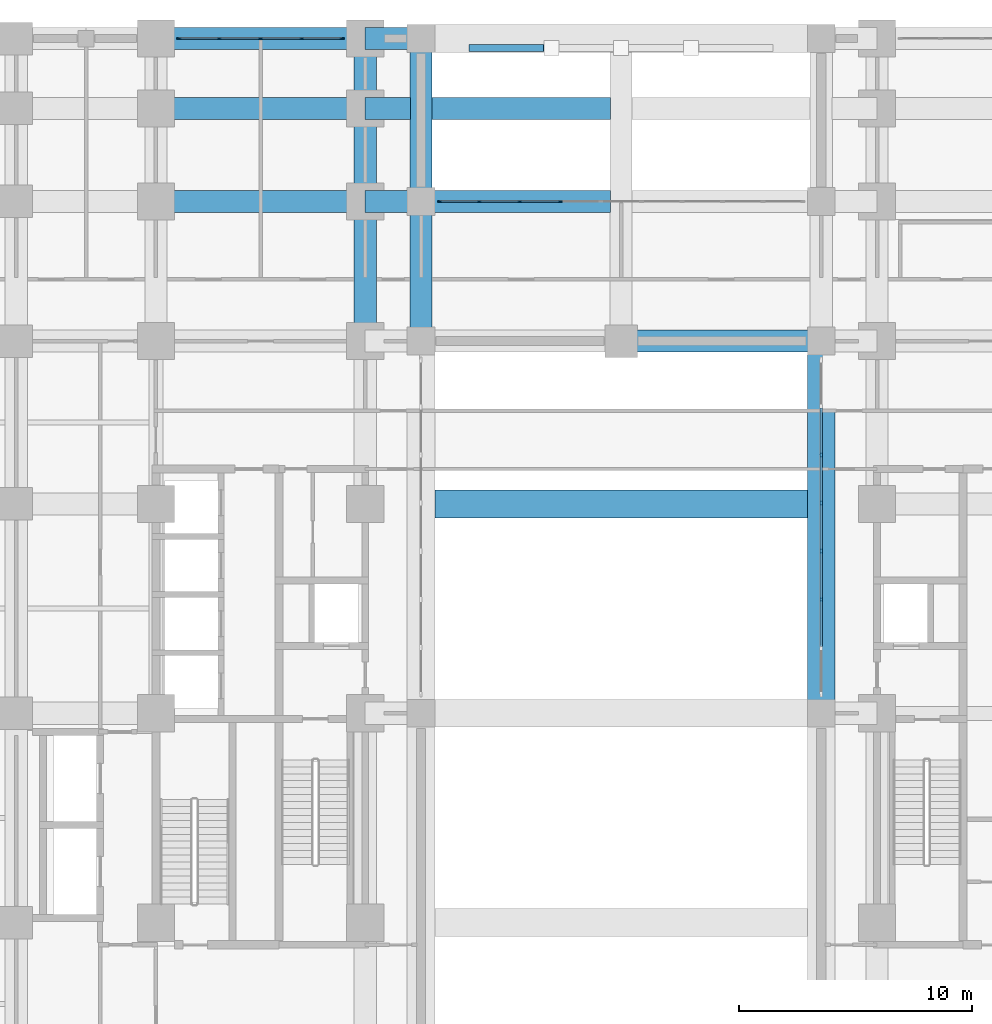
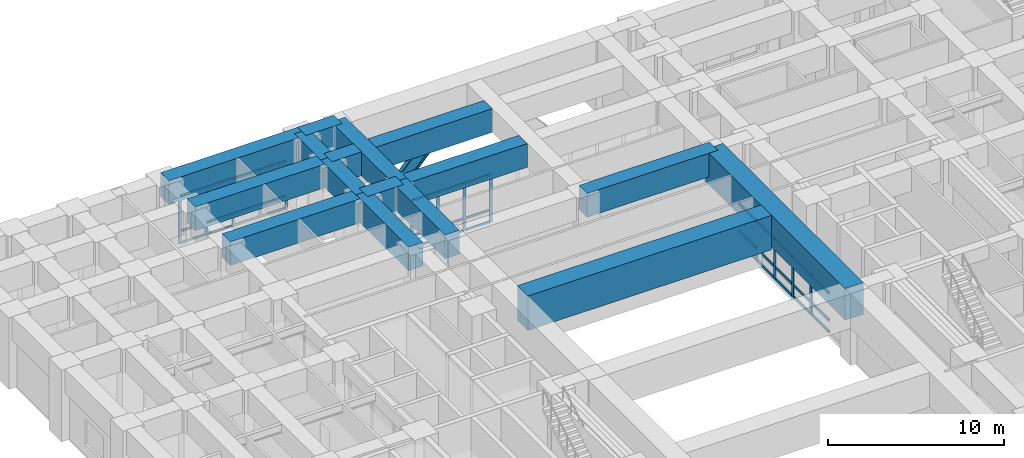
# One storey, part 6 of 24: 50 members, 16 beams, 3 elements without a shape of their own.
"""IFC4 building model written with IfcOpenShell, lengths in metres."""

from ifc_helpers import new_model, si_unit, direction, frame, origin, origin_2d, place, context, subcontext, project, spatial, rectangle, i_section, extrude, material, material_profile, profile_set, type_object, element, aggregate, save


model = new_model("IFC4")

# Units and contexts
model_context = context("Model", 3, precision=1e-05, world=origin(), true_north=direction((0.0, 1.0)))
body_context = subcontext(model_context, "Body", "Model", "MODEL_VIEW")
ifc_project = project(units=[si_unit("LENGTHUNIT", "METRE"), si_unit("AREAUNIT", "SQUARE_METRE"), si_unit("VOLUMEUNIT", "CUBIC_METRE"), si_unit("PLANEANGLEUNIT", "RADIAN"), si_unit("MASSUNIT", "GRAM", prefix="KILO")], contexts=[model_context])

# Site, building, storey
site_placement = place(None, origin())
site = spatial("IfcSite", under=ifc_project, at=site_placement, CompositionType="ELEMENT")
building_placement = place(site_placement, origin())
building = spatial("IfcBuilding", under=site, at=building_placement, Name="Zulmaris Gate Convention Tower", CompositionType="ELEMENT")
storey_placement = place(building_placement, frame((0.0, 0.0, 16.320068359375)))
storey = spatial("IfcBuildingStorey", under=building, at=storey_placement, Name="L03", CompositionType="ELEMENT", Elevation=16.320068359375)

# Beams
ifc_material_1 = material(Name="Concrete C80/95", Category="concrete")
ifc_material_profile_1 = material_profile(ifc_material_1, rectangle(XDim=0.949951171875, YDim=1.64990234375, at=origin_2d()), Name="RC TRANSFER 950x1650")
ifc_profile_set_1 = profile_set([ifc_material_profile_1], Name="Concrete C80/95")
beam_type_1 = type_object("IfcBeamType", Name="BM-XFER1650", PredefinedType="BEAM", material=ifc_profile_set_1)
beam_1_placement = place(storey_placement, frame((-20.0, 29.0, 4.1650390625), z_axis=(1.0, 0.0, 0.0), x_axis=(0.0, 1.0, 0.0)))
element("IfcBeam", 1, at=beam_1_placement, inside=storey, type_object=beam_type_1, Name="L03 Beam XFRNGX-L03-+29.0-5", PredefinedType="BEAM", context=body_context, shape_type="SweptSolid", body=[
    extrude(rectangle(XDim=0.949951171875, YDim=1.64990234375, at=origin_2d()), origin(), (0.0, 0.0, 1.0), 9.0),
])
beam_2_placement = place(storey_placement, frame((-11.0, 29.0, 4.1650390625), z_axis=(1.0, 0.0, 0.0), x_axis=(0.0, 1.0, 0.0)))
element("IfcBeam", 2, at=beam_2_placement, inside=storey, type_object=beam_type_1, Name="L03 Beam XFRNGX-L03-+29.0-6", PredefinedType="BEAM", context=body_context, shape_type="SweptSolid", body=[
    extrude(rectangle(XDim=0.949951171875, YDim=1.64990234375, at=origin_2d()), origin(), (0.0, 0.0, 1.0), 2.39990234375),
])
beam_3_placement = place(storey_placement, frame((-11.0, 16.0, 4.1650390625), z_axis=(0.0, 1.0, 0.0), x_axis=(-1.0, 0.0, 0.0)))
element("IfcBeam", 3, at=beam_3_placement, inside=storey, type_object=beam_type_1, Name="L03 Beam XFSPY-L03--11.0-8", PredefinedType="BEAM", context=body_context, shape_type="SweptSolid", body=[
    extrude(rectangle(XDim=0.949951171875, YDim=1.64990234375, at=origin_2d()), origin(), (0.0, 0.0, 1.0), 6.0),
])
beam_4_placement = place(storey_placement, frame((-11.0, 22.0, 4.1650390625), z_axis=(0.0, 1.0, 0.0), x_axis=(-1.0, 0.0, 0.0)))
element("IfcBeam", 4, at=beam_4_placement, inside=storey, type_object=beam_type_1, Name="L03 Beam XFSPY-L03--11.0-9", PredefinedType="BEAM", context=body_context, shape_type="SweptSolid", body=[
    extrude(rectangle(XDim=0.949951171875, YDim=1.64990234375, at=origin_2d()), origin(), (0.0, 0.0, 1.0), 4.0),
])
beam_5_placement = place(storey_placement, frame((-11.0, 26.0, 4.1650390625), z_axis=(0.0, 1.0, 0.0), x_axis=(-1.0, 0.0, 0.0)))
element("IfcBeam", 5, at=beam_5_placement, inside=storey, type_object=beam_type_1, Name="L03 Beam XFSPY-L03--11.0-10", PredefinedType="BEAM", context=body_context, shape_type="SweptSolid", body=[
    extrude(rectangle(XDim=0.949951171875, YDim=1.64990234375, at=origin_2d()), origin(), (0.0, 0.0, 1.0), 3.0),
])
beam_6_placement = place(storey_placement, frame((-8.60009765625, 16.0, 4.1650390625), z_axis=(0.0, 1.0, 0.0), x_axis=(-1.0, 0.0, 0.0)))
element("IfcBeam", 6, at=beam_6_placement, inside=storey, type_object=beam_type_1, Name="L03 Beam XFSPY-L03--8.6-4", PredefinedType="BEAM", context=body_context, shape_type="SweptSolid", body=[
    extrude(rectangle(XDim=0.949951171875, YDim=1.64990234375, at=origin_2d()), origin(), (0.0, 0.0, 1.0), 6.0),
])
beam_7_placement = place(storey_placement, frame((-8.60009765625, 22.0, 4.1650390625), z_axis=(0.0, 1.0, 0.0), x_axis=(-1.0, 0.0, 0.0)))
element("IfcBeam", 7, at=beam_7_placement, inside=storey, type_object=beam_type_1, Name="L03 Beam XFSPY-L03--8.6-5", PredefinedType="BEAM", context=body_context, shape_type="SweptSolid", body=[
    extrude(rectangle(XDim=0.949951171875, YDim=1.64990234375, at=origin_2d()), origin(), (0.0, 0.0, 1.0), 7.0),
])
beam_8_placement = place(storey_placement, frame((0.0, 16.0, 4.1650390625), z_axis=(1.0, 0.0, 0.0), x_axis=(0.0, 1.0, 0.0)))
element("IfcBeam", 8, at=beam_8_placement, inside=storey, type_object=beam_type_1, Name="L03 Beam XFSPX-L03-+16.0-7", PredefinedType="BEAM", context=body_context, shape_type="SweptSolid", body=[
    extrude(rectangle(XDim=0.949951171875, YDim=1.64990234375, at=origin_2d()), origin(), (0.0, 0.0, 1.0), 8.60009765625),
])
beam_9_placement = place(storey_placement, frame((-20.0, 22.0, 4.1650390625), z_axis=(1.0, 0.0, 0.0), x_axis=(0.0, 1.0, 0.0)))
element("IfcBeam", 9, at=beam_9_placement, inside=storey, type_object=beam_type_1, Name="L03 Beam XFSPX-L03-+22.0-4", PredefinedType="BEAM", context=body_context, shape_type="SweptSolid", body=[
    extrude(rectangle(XDim=0.949951171875, YDim=1.64990234375, at=origin_2d()), origin(), (0.0, 0.0, 1.0), 9.0),
])
beam_10_placement = place(storey_placement, frame((-11.0, 22.0, 4.1650390625), z_axis=(1.0, 0.0, 0.0), x_axis=(0.0, 1.0, 0.0)))
element("IfcBeam", 10, at=beam_10_placement, inside=storey, type_object=beam_type_1, Name="L03 Beam XFSPX-L03-+22.0-5", PredefinedType="BEAM", context=body_context, shape_type="SweptSolid", body=[
    extrude(rectangle(XDim=0.949951171875, YDim=1.64990234375, at=origin_2d()), origin(), (0.0, 0.0, 1.0), 2.39990234375),
])
beam_11_placement = place(storey_placement, frame((-8.60009765625, 22.0, 4.1650390625), z_axis=(1.0, 0.0, 0.0), x_axis=(0.0, 1.0, 0.0)))
element("IfcBeam", 11, at=beam_11_placement, inside=storey, type_object=beam_type_1, Name="L03 Beam XFSPX-L03-+22.0-6", PredefinedType="BEAM", context=body_context, shape_type="SweptSolid", body=[
    extrude(rectangle(XDim=0.949951171875, YDim=1.64990234375, at=origin_2d()), origin(), (0.0, 0.0, 1.0), 8.13720703125),
])
beam_12_placement = place(storey_placement, frame((-20.0, 26.0, 4.1650390625), z_axis=(1.0, 0.0, 0.0), x_axis=(0.0, 1.0, 0.0)))
element("IfcBeam", 12, at=beam_12_placement, inside=storey, type_object=beam_type_1, Name="L03 Beam XFSPX-L03-+26.0-4", PredefinedType="BEAM", context=body_context, shape_type="SweptSolid", body=[
    extrude(rectangle(XDim=0.949951171875, YDim=1.64990234375, at=origin_2d()), origin(), (0.0, 0.0, 1.0), 9.0),
])
beam_13_placement = place(storey_placement, frame((-11.0, 26.0, 4.1650390625), z_axis=(1.0, 0.0, 0.0), x_axis=(0.0, 1.0, 0.0)))
element("IfcBeam", 13, at=beam_13_placement, inside=storey, type_object=beam_type_1, Name="L03 Beam XFSPX-L03-+26.0-5", PredefinedType="BEAM", context=body_context, shape_type="SweptSolid", body=[
    extrude(rectangle(XDim=0.949951171875, YDim=1.64990234375, at=origin_2d()), origin(), (0.0, 0.0, 1.0), 1.93701171875),
])
beam_14_placement = place(storey_placement, frame((-8.136962890625, 26.0, 4.1650390625), z_axis=(1.0, 0.0, 0.0), x_axis=(0.0, 1.0, 0.0)))
element("IfcBeam", 14, at=beam_14_placement, inside=storey, type_object=beam_type_1, Name="L03 Beam XFSPX-L03-+26.0-6", PredefinedType="BEAM", context=body_context, shape_type="SweptSolid", body=[
    extrude(rectangle(XDim=0.949951171875, YDim=1.64990234375, at=origin_2d()), origin(), (0.0, 0.0, 1.0), 7.674072265625),
])
ifc_material_profile_2 = material_profile(ifc_material_1, rectangle(XDim=1.199951171875, YDim=2.199951171875, at=origin_2d()), Name="RC TRANSFER 1200x2200")
ifc_profile_set_2 = profile_set([ifc_material_profile_2], Name="Concrete C80/95")
beam_type_2 = type_object("IfcBeamType", Name="BM-XFER2200", PredefinedType="BEAM", material=ifc_profile_set_2)
beam_15_placement = place(storey_placement, frame((8.60009765625, 0.0, 3.889892578125), z_axis=(0.0, 1.0, 0.0), x_axis=(-1.0, 0.0, 0.0)))
element("IfcBeam", 15, at=beam_15_placement, inside=storey, type_object=beam_type_2, Name="L03 Beam XFSPY-L03-+8.6-3", PredefinedType="BEAM", context=body_context, shape_type="SweptSolid", body=[
    extrude(rectangle(XDim=1.199951171875, YDim=2.199951171875, at=origin_2d()), origin(), (0.0, 0.0, 1.0), 16.0),
])
ifc_material_profile_3 = material_profile(ifc_material_1, rectangle(XDim=1.199951171875, YDim=2.39990234375, at=origin_2d()), Name="RC TRANSFER 1200x2400")
ifc_profile_set_3 = profile_set([ifc_material_profile_3], Name="Concrete C80/95")
beam_type_3 = type_object("IfcBeamType", Name="BM-XFER2400", PredefinedType="BEAM", material=ifc_profile_set_3)
beam_16_placement = place(storey_placement, frame((-8.011962890625, 9.0, 3.7900390625), z_axis=(1.0, 0.0, 0.0), x_axis=(0.0, 1.0, 0.0)))
element("IfcBeam", 16, at=beam_16_placement, inside=storey, type_object=beam_type_3, Name="L03 Beam XFSPX-L03-+9.0-6", PredefinedType="BEAM", context=body_context, shape_type="SweptSolid", body=[
    extrude(rectangle(XDim=1.199951171875, YDim=2.39990234375, at=origin_2d()), origin(), (0.0, 0.0, 1.0), 16.02392578125),
])

# Member
ifc_material_2 = material(Name="Steel S460", Category="steel")
ifc_material_profile_4 = material_profile(ifc_material_2, i_section(OverallWidth=0.302001953125, OverallDepth=0.909912109375, WebThickness=0.02099609375, FlangeThickness=0.0400390625, FilletRadius=0.030029296875, at=origin_2d()), Name="HEM 900")
ifc_profile_set_4 = profile_set([ifc_material_profile_4], Name="Steel S460")
member_type_1 = type_object("IfcMemberType", Name="CH-HEM900", PredefinedType="CHORD", material=ifc_profile_set_4)
member_1_placement = place(storey_placement, frame((-6.199951171875, 28.60009765625, -2.02001953125), z_axis=(0.669531801029, 0.0, 0.742783391986), x_axis=(0.0, 1.0, 0.0)))
element("IfcMember", 17, at=member_1_placement, inside=storey, type_object=member_type_1, Name="Pishtaq Arch Rib N-2", PredefinedType="CHORD", context=body_context, shape_type="SweptSolid", body=[
    extrude(i_section(OverallWidth=0.302001953125, OverallDepth=0.909912109375, WebThickness=0.02099609375, FlangeThickness=0.0400390625, FilletRadius=0.030029296875, at=origin_2d()), origin(), (0.0, 0.0, 1.0), 4.779296875),
])

# Curtain wall, members
ifc_material_3 = material(Name="Anodised Aluminium", Category="aluminium")
curtain_wall_type_1 = type_object("IfcCurtainWallType", Name="CW-02", PredefinedType="NOTDEFINED", material=ifc_material_3)
curtain_wall_1_placement = place(storey_placement, origin())
curtain_wall_1 = element("IfcCurtainWall", 18, at=curtain_wall_1_placement, inside=storey, type_object=curtain_wall_type_1, Name="CW-02 CW02-L03-EL_0", PredefinedType="NOTDEFINED")
ifc_material_profile_5 = material_profile(ifc_material_3, rectangle(XDim=0.090087890625, YDim=0.219970703125, at=origin_2d()), Name="ALU MULLION 90x220")
ifc_profile_set_5 = profile_set([ifc_material_profile_5], Name="Anodised Aluminium")
member_type_2 = type_object("IfcMemberType", Name="CW-02-MULL", PredefinedType="MULLION", material=ifc_profile_set_5)
member_2_placement = place(storey_placement, frame((8.60009765625, 11.102783203125, 0.0), z_axis=(0.0, 0.0, 1.0), x_axis=(1.0, 0.0, 0.0)))
member_2 = element("IfcMember", 19, at=member_2_placement, type_object=member_type_2, Name="CW-02 mullion 3", PredefinedType="MULLION", context=body_context, shape_type="SweptSolid", body=[
    extrude(rectangle(XDim=0.090087890625, YDim=0.219970703125, at=origin_2d()), origin(), (0.0, 0.0, 1.0), 2.781982421875),
])
member_3_placement = place(storey_placement, frame((8.60009765625, 9.0341796875, 0.0), z_axis=(0.0, 0.0, 1.0), x_axis=(1.0, 0.0, 0.0)))
member_3 = element("IfcMember", 20, at=member_3_placement, type_object=member_type_2, Name="CW-02 mullion 4", PredefinedType="MULLION", context=body_context, shape_type="SweptSolid", body=[
    extrude(rectangle(XDim=0.090087890625, YDim=0.219970703125, at=origin_2d()), origin(), (0.0, 0.0, 1.0), 2.781982421875),
])
member_4_placement = place(storey_placement, frame((8.60009765625, 6.9658203125, 0.0), z_axis=(0.0, 0.0, 1.0), x_axis=(1.0, 0.0, 0.0)))
member_4 = element("IfcMember", 21, at=member_4_placement, type_object=member_type_2, Name="CW-02 mullion 5", PredefinedType="MULLION", context=body_context, shape_type="SweptSolid", body=[
    extrude(rectangle(XDim=0.090087890625, YDim=0.219970703125, at=origin_2d()), origin(), (0.0, 0.0, 1.0), 2.781982421875),
])
member_5_placement = place(storey_placement, frame((8.60009765625, 4.897216796875, 0.0), z_axis=(0.0, 0.0, 1.0), x_axis=(1.0, 0.0, 0.0)))
member_5 = element("IfcMember", 22, at=member_5_placement, type_object=member_type_2, Name="CW-02 mullion 6", PredefinedType="MULLION", context=body_context, shape_type="SweptSolid", body=[
    extrude(rectangle(XDim=0.090087890625, YDim=0.219970703125, at=origin_2d()), origin(), (0.0, 0.0, 1.0), 2.781982421875),
])
ifc_material_profile_6 = material_profile(ifc_material_3, rectangle(XDim=0.090087890625, YDim=0.179931640625, at=origin_2d()), Name="ALU TRANSOM 90x180")
ifc_profile_set_6 = profile_set([ifc_material_profile_6], Name="Anodised Aluminium")
member_type_3 = type_object("IfcMemberType", Name="CW-02-TRAN", PredefinedType="USERDEFINED", material=ifc_profile_set_6)
member_6_placement = place(storey_placement, frame((8.60009765625, 13.12646484375, 0.044921875), z_axis=(0.0, -1.0, 0.0), x_axis=(1.0, 0.0, 0.0)))
member_6 = element("IfcMember", 23, at=member_6_placement, type_object=member_type_3, Name="CW-02 transom 2.1", ObjectType="TRANSOM", PredefinedType="USERDEFINED", context=body_context, shape_type="SweptSolid", body=[
    extrude(rectangle(XDim=0.090087890625, YDim=0.179931640625, at=origin_2d()), origin(), (0.0, 0.0, 1.0), 1.978515625),
])
member_7_placement = place(storey_placement, frame((8.60009765625, 13.12646484375, 0.85009765625), z_axis=(0.0, -1.0, 0.0), x_axis=(1.0, 0.0, 0.0)))
member_7 = element("IfcMember", 24, at=member_7_placement, type_object=member_type_3, Name="CW-02 transom 2.2", ObjectType="TRANSOM", PredefinedType="USERDEFINED", context=body_context, shape_type="SweptSolid", body=[
    extrude(rectangle(XDim=0.090087890625, YDim=0.179931640625, at=origin_2d()), origin(), (0.0, 0.0, 1.0), 1.978515625),
])
member_8_placement = place(storey_placement, frame((8.60009765625, 13.12646484375, 2.73681640625), z_axis=(0.0, -1.0, 0.0), x_axis=(1.0, 0.0, 0.0)))
member_8 = element("IfcMember", 25, at=member_8_placement, type_object=member_type_3, Name="CW-02 transom 2.3", ObjectType="TRANSOM", PredefinedType="USERDEFINED", context=body_context, shape_type="SweptSolid", body=[
    extrude(rectangle(XDim=0.090087890625, YDim=0.179931640625, at=origin_2d()), origin(), (0.0, 0.0, 1.0), 1.978515625),
])
member_9_placement = place(storey_placement, frame((8.60009765625, 11.057861328125, 0.044921875), z_axis=(0.0, -1.0, 0.0), x_axis=(1.0, 0.0, 0.0)))
member_9 = element("IfcMember", 26, at=member_9_placement, type_object=member_type_3, Name="CW-02 transom 3.1", ObjectType="TRANSOM", PredefinedType="USERDEFINED", context=body_context, shape_type="SweptSolid", body=[
    extrude(rectangle(XDim=0.090087890625, YDim=0.179931640625, at=origin_2d()), origin(), (0.0, 0.0, 1.0), 1.978515625),
])
member_10_placement = place(storey_placement, frame((8.60009765625, 11.057861328125, 0.85009765625), z_axis=(0.0, -1.0, 0.0), x_axis=(1.0, 0.0, 0.0)))
member_10 = element("IfcMember", 27, at=member_10_placement, type_object=member_type_3, Name="CW-02 transom 3.2", ObjectType="TRANSOM", PredefinedType="USERDEFINED", context=body_context, shape_type="SweptSolid", body=[
    extrude(rectangle(XDim=0.090087890625, YDim=0.179931640625, at=origin_2d()), origin(), (0.0, 0.0, 1.0), 1.978515625),
])
member_11_placement = place(storey_placement, frame((8.60009765625, 11.057861328125, 2.73681640625), z_axis=(0.0, -1.0, 0.0), x_axis=(1.0, 0.0, 0.0)))
member_11 = element("IfcMember", 28, at=member_11_placement, type_object=member_type_3, Name="CW-02 transom 3.3", ObjectType="TRANSOM", PredefinedType="USERDEFINED", context=body_context, shape_type="SweptSolid", body=[
    extrude(rectangle(XDim=0.090087890625, YDim=0.179931640625, at=origin_2d()), origin(), (0.0, 0.0, 1.0), 1.978515625),
])
member_12_placement = place(storey_placement, frame((8.60009765625, 8.9892578125, 0.044921875), z_axis=(0.0, -1.0, 0.0), x_axis=(1.0, 0.0, 0.0)))
member_12 = element("IfcMember", 29, at=member_12_placement, type_object=member_type_3, Name="CW-02 transom 4.1", ObjectType="TRANSOM", PredefinedType="USERDEFINED", context=body_context, shape_type="SweptSolid", body=[
    extrude(rectangle(XDim=0.090087890625, YDim=0.179931640625, at=origin_2d()), origin(), (0.0, 0.0, 1.0), 1.978515625),
])
member_13_placement = place(storey_placement, frame((8.60009765625, 8.9892578125, 0.85009765625), z_axis=(0.0, -1.0, 0.0), x_axis=(1.0, 0.0, 0.0)))
member_13 = element("IfcMember", 30, at=member_13_placement, type_object=member_type_3, Name="CW-02 transom 4.2", ObjectType="TRANSOM", PredefinedType="USERDEFINED", context=body_context, shape_type="SweptSolid", body=[
    extrude(rectangle(XDim=0.090087890625, YDim=0.179931640625, at=origin_2d()), origin(), (0.0, 0.0, 1.0), 1.978515625),
])
member_14_placement = place(storey_placement, frame((8.60009765625, 8.9892578125, 2.73681640625), z_axis=(0.0, -1.0, 0.0), x_axis=(1.0, 0.0, 0.0)))
member_14 = element("IfcMember", 31, at=member_14_placement, type_object=member_type_3, Name="CW-02 transom 4.3", ObjectType="TRANSOM", PredefinedType="USERDEFINED", context=body_context, shape_type="SweptSolid", body=[
    extrude(rectangle(XDim=0.090087890625, YDim=0.179931640625, at=origin_2d()), origin(), (0.0, 0.0, 1.0), 1.978515625),
])
member_15_placement = place(storey_placement, frame((8.60009765625, 6.920654296875, 0.044921875), z_axis=(0.0, -1.0, 0.0), x_axis=(1.0, 0.0, 0.0)))
member_15 = element("IfcMember", 32, at=member_15_placement, type_object=member_type_3, Name="CW-02 transom 5.1", ObjectType="TRANSOM", PredefinedType="USERDEFINED", context=body_context, shape_type="SweptSolid", body=[
    extrude(rectangle(XDim=0.090087890625, YDim=0.179931640625, at=origin_2d()), origin(), (0.0, 0.0, 1.0), 1.978515625),
])
member_16_placement = place(storey_placement, frame((8.60009765625, 6.920654296875, 0.85009765625), z_axis=(0.0, -1.0, 0.0), x_axis=(1.0, 0.0, 0.0)))
member_16 = element("IfcMember", 33, at=member_16_placement, type_object=member_type_3, Name="CW-02 transom 5.2", ObjectType="TRANSOM", PredefinedType="USERDEFINED", context=body_context, shape_type="SweptSolid", body=[
    extrude(rectangle(XDim=0.090087890625, YDim=0.179931640625, at=origin_2d()), origin(), (0.0, 0.0, 1.0), 1.978515625),
])
member_17_placement = place(storey_placement, frame((8.60009765625, 6.920654296875, 2.73681640625), z_axis=(0.0, -1.0, 0.0), x_axis=(1.0, 0.0, 0.0)))
member_17 = element("IfcMember", 34, at=member_17_placement, type_object=member_type_3, Name="CW-02 transom 5.3", ObjectType="TRANSOM", PredefinedType="USERDEFINED", context=body_context, shape_type="SweptSolid", body=[
    extrude(rectangle(XDim=0.090087890625, YDim=0.179931640625, at=origin_2d()), origin(), (0.0, 0.0, 1.0), 1.978515625),
])
member_18_placement = place(storey_placement, frame((8.60009765625, 4.85205078125, 0.044921875), z_axis=(0.0, -1.0, 0.0), x_axis=(1.0, 0.0, 0.0)))
member_18 = element("IfcMember", 35, at=member_18_placement, type_object=member_type_3, Name="CW-02 transom 6.1", ObjectType="TRANSOM", PredefinedType="USERDEFINED", context=body_context, shape_type="SweptSolid", body=[
    extrude(rectangle(XDim=0.090087890625, YDim=0.179931640625, at=origin_2d()), origin(), (0.0, 0.0, 1.0), 1.978515625),
])
member_19_placement = place(storey_placement, frame((8.60009765625, 4.85205078125, 0.85009765625), z_axis=(0.0, -1.0, 0.0), x_axis=(1.0, 0.0, 0.0)))
member_19 = element("IfcMember", 36, at=member_19_placement, type_object=member_type_3, Name="CW-02 transom 6.2", ObjectType="TRANSOM", PredefinedType="USERDEFINED", context=body_context, shape_type="SweptSolid", body=[
    extrude(rectangle(XDim=0.090087890625, YDim=0.179931640625, at=origin_2d()), origin(), (0.0, 0.0, 1.0), 1.978515625),
])
member_20_placement = place(storey_placement, frame((8.60009765625, 4.85205078125, 2.73681640625), z_axis=(0.0, -1.0, 0.0), x_axis=(1.0, 0.0, 0.0)))
member_20 = element("IfcMember", 37, at=member_20_placement, type_object=member_type_3, Name="CW-02 transom 6.3", ObjectType="TRANSOM", PredefinedType="USERDEFINED", context=body_context, shape_type="SweptSolid", body=[
    extrude(rectangle(XDim=0.090087890625, YDim=0.179931640625, at=origin_2d()), origin(), (0.0, 0.0, 1.0), 1.978515625),
])
aggregate(curtain_wall_1, [member_2, member_3, member_4, member_5, member_6, member_7, member_8, member_9, member_10, member_11, member_12, member_13, member_14, member_15, member_16, member_17, member_18, member_19, member_20])

curtain_wall_type_2 = type_object("IfcCurtainWallType", Name="CW-03", PredefinedType="NOTDEFINED", material=ifc_material_3)
curtain_wall_2_placement = place(storey_placement, origin())
curtain_wall_2 = element("IfcCurtainWall", 38, at=curtain_wall_2_placement, inside=storey, type_object=curtain_wall_type_2, Name="CW-03 CW03-L03-N-20_0", PredefinedType="NOTDEFINED")
ifc_material_profile_7 = material_profile(ifc_material_3, rectangle(XDim=0.074951171875, YDim=0.179931640625, at=origin_2d()), Name="ALU MULLION 75x180")
ifc_profile_set_7 = profile_set([ifc_material_profile_7], Name="Anodised Aluminium")
member_type_4 = type_object("IfcMemberType", Name="CW-03-MULL", PredefinedType="MULLION", material=ifc_profile_set_7)
member_21_placement = place(storey_placement, frame((-11.99755859375, 29.0, 0.0), z_axis=(0.0, 0.0, 1.0), x_axis=(0.0, -1.0, 0.0)))
member_21 = element("IfcMember", 39, at=member_21_placement, type_object=member_type_4, Name="CW-03 mullion 1", PredefinedType="MULLION", context=body_context, shape_type="SweptSolid", body=[
    extrude(rectangle(XDim=0.074951171875, YDim=0.179931640625, at=origin_2d()), origin(), (0.0, 0.0, 1.0), 3.33203125),
])
member_22_placement = place(storey_placement, frame((-13.72998046875, 29.0, 0.0), z_axis=(0.0, 0.0, 1.0), x_axis=(0.0, -1.0, 0.0)))
member_22 = element("IfcMember", 40, at=member_22_placement, type_object=member_type_4, Name="CW-03 mullion 2", PredefinedType="MULLION", context=body_context, shape_type="SweptSolid", body=[
    extrude(rectangle(XDim=0.074951171875, YDim=0.179931640625, at=origin_2d()), origin(), (0.0, 0.0, 1.0), 3.33203125),
])
member_23_placement = place(storey_placement, frame((-15.5, 29.0, 0.0), z_axis=(0.0, 0.0, 1.0), x_axis=(0.0, -1.0, 0.0)))
member_23 = element("IfcMember", 41, at=member_23_placement, type_object=member_type_4, Name="CW-03 mullion 3", PredefinedType="MULLION", context=body_context, shape_type="SweptSolid", body=[
    extrude(rectangle(XDim=0.074951171875, YDim=0.179931640625, at=origin_2d()), origin(), (0.0, 0.0, 1.0), 3.33203125),
])
member_24_placement = place(storey_placement, frame((-17.27001953125, 29.0, 0.0), z_axis=(0.0, 0.0, 1.0), x_axis=(0.0, -1.0, 0.0)))
member_24 = element("IfcMember", 42, at=member_24_placement, type_object=member_type_4, Name="CW-03 mullion 4", PredefinedType="MULLION", context=body_context, shape_type="SweptSolid", body=[
    extrude(rectangle(XDim=0.074951171875, YDim=0.179931640625, at=origin_2d()), origin(), (0.0, 0.0, 1.0), 3.33203125),
])
member_25_placement = place(storey_placement, frame((-19.00244140625, 29.0, 0.0), z_axis=(0.0, 0.0, 1.0), x_axis=(0.0, -1.0, 0.0)))
member_25 = element("IfcMember", 43, at=member_25_placement, type_object=member_type_4, Name="CW-03 mullion 5", PredefinedType="MULLION", context=body_context, shape_type="SweptSolid", body=[
    extrude(rectangle(XDim=0.074951171875, YDim=0.179931640625, at=origin_2d()), origin(), (0.0, 0.0, 1.0), 3.33203125),
])

curtain_wall_3_placement = place(storey_placement, origin())
curtain_wall_3 = element("IfcCurtainWall", 44, at=curtain_wall_3_placement, inside=storey, type_object=curtain_wall_type_2, Name="CW-03 CW03-L03-NARCH_0", PredefinedType="NOTDEFINED")
member_26_placement = place(storey_placement, frame((-2.61328125, 22.0, 0.0), z_axis=(0.0, 0.0, 1.0), x_axis=(0.0, -1.0, 0.0)))
member_26 = element("IfcMember", 45, at=member_26_placement, type_object=member_type_4, Name="CW-03 mullion 7", PredefinedType="MULLION", context=body_context, shape_type="SweptSolid", body=[
    extrude(rectangle(XDim=0.074951171875, YDim=0.179931640625, at=origin_2d()), origin(), (0.0, 0.0, 1.0), 3.33203125),
])
member_27_placement = place(storey_placement, frame((-4.35546875, 22.0, 0.0), z_axis=(0.0, 0.0, 1.0), x_axis=(0.0, -1.0, 0.0)))
member_27 = element("IfcMember", 46, at=member_27_placement, type_object=member_type_4, Name="CW-03 mullion 8", PredefinedType="MULLION", context=body_context, shape_type="SweptSolid", body=[
    extrude(rectangle(XDim=0.074951171875, YDim=0.179931640625, at=origin_2d()), origin(), (0.0, 0.0, 1.0), 3.33203125),
])
member_28_placement = place(storey_placement, frame((-6.09765625, 22.0, 0.0), z_axis=(0.0, 0.0, 1.0), x_axis=(0.0, -1.0, 0.0)))
member_28 = element("IfcMember", 47, at=member_28_placement, type_object=member_type_4, Name="CW-03 mullion 9", PredefinedType="MULLION", context=body_context, shape_type="SweptSolid", body=[
    extrude(rectangle(XDim=0.074951171875, YDim=0.179931640625, at=origin_2d()), origin(), (0.0, 0.0, 1.0), 3.33203125),
])
member_29_placement = place(storey_placement, frame((-7.802490234375, 22.0, 0.0), z_axis=(0.0, 0.0, 1.0), x_axis=(0.0, -1.0, 0.0)))
member_29 = element("IfcMember", 48, at=member_29_placement, type_object=member_type_4, Name="CW-03 mullion 10", PredefinedType="MULLION", context=body_context, shape_type="SweptSolid", body=[
    extrude(rectangle(XDim=0.074951171875, YDim=0.179931640625, at=origin_2d()), origin(), (0.0, 0.0, 1.0), 3.33203125),
])

# Member
ifc_material_profile_8 = material_profile(ifc_material_3, rectangle(XDim=0.074951171875, YDim=0.14990234375, at=origin_2d()), Name="ALU TRANSOM 75x150")
ifc_profile_set_8 = profile_set([ifc_material_profile_8], Name="Anodised Aluminium")
member_type_5 = type_object("IfcMemberType", Name="CW-03-TRAN", PredefinedType="USERDEFINED", material=ifc_profile_set_8)
member_30_placement = place(storey_placement, frame((-12.034912109375, 29.0, 0.03759765625), z_axis=(-1.0, 0.0, 0.0), x_axis=(0.0, -1.0, 0.0)))
member_30 = element("IfcMember", 49, at=member_30_placement, type_object=member_type_5, Name="CW-03 transom 1.1", ObjectType="TRANSOM", PredefinedType="USERDEFINED", context=body_context, shape_type="SweptSolid", body=[
    extrude(rectangle(XDim=0.074951171875, YDim=0.14990234375, at=origin_2d()), origin(), (0.0, 0.0, 1.0), 1.657470703125),
])

member_31_placement = place(storey_placement, frame((-12.034912109375, 29.0, 0.85009765625), z_axis=(-1.0, 0.0, 0.0), x_axis=(0.0, -1.0, 0.0)))
member_31 = element("IfcMember", 50, at=member_31_placement, type_object=member_type_5, Name="CW-03 transom 1.2", ObjectType="TRANSOM", PredefinedType="USERDEFINED", context=body_context, shape_type="SweptSolid", body=[
    extrude(rectangle(XDim=0.074951171875, YDim=0.14990234375, at=origin_2d()), origin(), (0.0, 0.0, 1.0), 1.657470703125),
])

member_32_placement = place(storey_placement, frame((-12.034912109375, 29.0, 3.29443359375), z_axis=(-1.0, 0.0, 0.0), x_axis=(0.0, -1.0, 0.0)))
member_32 = element("IfcMember", 51, at=member_32_placement, type_object=member_type_5, Name="CW-03 transom 1.3", ObjectType="TRANSOM", PredefinedType="USERDEFINED", context=body_context, shape_type="SweptSolid", body=[
    extrude(rectangle(XDim=0.074951171875, YDim=0.14990234375, at=origin_2d()), origin(), (0.0, 0.0, 1.0), 1.657470703125),
])

member_33_placement = place(storey_placement, frame((-13.767578125, 29.0, 0.03759765625), z_axis=(-1.0, 0.0, 0.0), x_axis=(0.0, -1.0, 0.0)))
member_33 = element("IfcMember", 52, at=member_33_placement, type_object=member_type_5, Name="CW-03 transom 2.1", ObjectType="TRANSOM", PredefinedType="USERDEFINED", context=body_context, shape_type="SweptSolid", body=[
    extrude(rectangle(XDim=0.074951171875, YDim=0.14990234375, at=origin_2d()), origin(), (0.0, 0.0, 1.0), 1.69482421875),
])

member_34_placement = place(storey_placement, frame((-13.767578125, 29.0, 0.85009765625), z_axis=(-1.0, 0.0, 0.0), x_axis=(0.0, -1.0, 0.0)))
member_34 = element("IfcMember", 53, at=member_34_placement, type_object=member_type_5, Name="CW-03 transom 2.2", ObjectType="TRANSOM", PredefinedType="USERDEFINED", context=body_context, shape_type="SweptSolid", body=[
    extrude(rectangle(XDim=0.074951171875, YDim=0.14990234375, at=origin_2d()), origin(), (0.0, 0.0, 1.0), 1.69482421875),
])

member_35_placement = place(storey_placement, frame((-13.767578125, 29.0, 3.29443359375), z_axis=(-1.0, 0.0, 0.0), x_axis=(0.0, -1.0, 0.0)))
member_35 = element("IfcMember", 54, at=member_35_placement, type_object=member_type_5, Name="CW-03 transom 2.3", ObjectType="TRANSOM", PredefinedType="USERDEFINED", context=body_context, shape_type="SweptSolid", body=[
    extrude(rectangle(XDim=0.074951171875, YDim=0.14990234375, at=origin_2d()), origin(), (0.0, 0.0, 1.0), 1.69482421875),
])

member_36_placement = place(storey_placement, frame((-15.53759765625, 29.0, 0.03759765625), z_axis=(-1.0, 0.0, 0.0), x_axis=(0.0, -1.0, 0.0)))
member_36 = element("IfcMember", 55, at=member_36_placement, type_object=member_type_5, Name="CW-03 transom 3.1", ObjectType="TRANSOM", PredefinedType="USERDEFINED", context=body_context, shape_type="SweptSolid", body=[
    extrude(rectangle(XDim=0.074951171875, YDim=0.14990234375, at=origin_2d()), origin(), (0.0, 0.0, 1.0), 1.69482421875),
])

member_37_placement = place(storey_placement, frame((-15.53759765625, 29.0, 0.85009765625), z_axis=(-1.0, 0.0, 0.0), x_axis=(0.0, -1.0, 0.0)))
member_37 = element("IfcMember", 56, at=member_37_placement, type_object=member_type_5, Name="CW-03 transom 3.2", ObjectType="TRANSOM", PredefinedType="USERDEFINED", context=body_context, shape_type="SweptSolid", body=[
    extrude(rectangle(XDim=0.074951171875, YDim=0.14990234375, at=origin_2d()), origin(), (0.0, 0.0, 1.0), 1.69482421875),
])

member_38_placement = place(storey_placement, frame((-15.53759765625, 29.0, 3.29443359375), z_axis=(-1.0, 0.0, 0.0), x_axis=(0.0, -1.0, 0.0)))
member_38 = element("IfcMember", 57, at=member_38_placement, type_object=member_type_5, Name="CW-03 transom 3.3", ObjectType="TRANSOM", PredefinedType="USERDEFINED", context=body_context, shape_type="SweptSolid", body=[
    extrude(rectangle(XDim=0.074951171875, YDim=0.14990234375, at=origin_2d()), origin(), (0.0, 0.0, 1.0), 1.69482421875),
])

member_39_placement = place(storey_placement, frame((-17.3076171875, 29.0, 0.03759765625), z_axis=(-1.0, 0.0, 0.0), x_axis=(0.0, -1.0, 0.0)))
member_39 = element("IfcMember", 58, at=member_39_placement, type_object=member_type_5, Name="CW-03 transom 4.1", ObjectType="TRANSOM", PredefinedType="USERDEFINED", context=body_context, shape_type="SweptSolid", body=[
    extrude(rectangle(XDim=0.074951171875, YDim=0.14990234375, at=origin_2d()), origin(), (0.0, 0.0, 1.0), 1.657470703125),
])

member_40_placement = place(storey_placement, frame((-17.3076171875, 29.0, 0.85009765625), z_axis=(-1.0, 0.0, 0.0), x_axis=(0.0, -1.0, 0.0)))
member_40 = element("IfcMember", 59, at=member_40_placement, type_object=member_type_5, Name="CW-03 transom 4.2", ObjectType="TRANSOM", PredefinedType="USERDEFINED", context=body_context, shape_type="SweptSolid", body=[
    extrude(rectangle(XDim=0.074951171875, YDim=0.14990234375, at=origin_2d()), origin(), (0.0, 0.0, 1.0), 1.657470703125),
])

member_41_placement = place(storey_placement, frame((-17.3076171875, 29.0, 3.29443359375), z_axis=(-1.0, 0.0, 0.0), x_axis=(0.0, -1.0, 0.0)))
member_41 = element("IfcMember", 60, at=member_41_placement, type_object=member_type_5, Name="CW-03 transom 4.3", ObjectType="TRANSOM", PredefinedType="USERDEFINED", context=body_context, shape_type="SweptSolid", body=[
    extrude(rectangle(XDim=0.074951171875, YDim=0.14990234375, at=origin_2d()), origin(), (0.0, 0.0, 1.0), 1.657470703125),
])

aggregate(curtain_wall_2, [member_21, member_22, member_23, member_24, member_25, member_30, member_31, member_32, member_33, member_34, member_35, member_36, member_37, member_38, member_39, member_40, member_41])

member_42_placement = place(storey_placement, frame((-2.65087890625, 22.0, 0.03759765625), z_axis=(-1.0, 0.0, 0.0), x_axis=(0.0, -1.0, 0.0)))
member_42 = element("IfcMember", 61, at=member_42_placement, type_object=member_type_5, Name="CW-03 transom 7.1", ObjectType="TRANSOM", PredefinedType="USERDEFINED", context=body_context, shape_type="SweptSolid", body=[
    extrude(rectangle(XDim=0.074951171875, YDim=0.14990234375, at=origin_2d()), origin(), (0.0, 0.0, 1.0), 1.667236328125),
])

member_43_placement = place(storey_placement, frame((-2.65087890625, 22.0, 0.85009765625), z_axis=(-1.0, 0.0, 0.0), x_axis=(0.0, -1.0, 0.0)))
member_43 = element("IfcMember", 62, at=member_43_placement, type_object=member_type_5, Name="CW-03 transom 7.2", ObjectType="TRANSOM", PredefinedType="USERDEFINED", context=body_context, shape_type="SweptSolid", body=[
    extrude(rectangle(XDim=0.074951171875, YDim=0.14990234375, at=origin_2d()), origin(), (0.0, 0.0, 1.0), 1.667236328125),
])

member_44_placement = place(storey_placement, frame((-2.65087890625, 22.0, 3.29443359375), z_axis=(-1.0, 0.0, 0.0), x_axis=(0.0, -1.0, 0.0)))
member_44 = element("IfcMember", 63, at=member_44_placement, type_object=member_type_5, Name="CW-03 transom 7.3", ObjectType="TRANSOM", PredefinedType="USERDEFINED", context=body_context, shape_type="SweptSolid", body=[
    extrude(rectangle(XDim=0.074951171875, YDim=0.14990234375, at=origin_2d()), origin(), (0.0, 0.0, 1.0), 1.667236328125),
])

member_45_placement = place(storey_placement, frame((-4.39306640625, 22.0, 0.03759765625), z_axis=(-1.0, 0.0, 0.0), x_axis=(0.0, -1.0, 0.0)))
member_45 = element("IfcMember", 64, at=member_45_placement, type_object=member_type_5, Name="CW-03 transom 8.1", ObjectType="TRANSOM", PredefinedType="USERDEFINED", context=body_context, shape_type="SweptSolid", body=[
    extrude(rectangle(XDim=0.074951171875, YDim=0.14990234375, at=origin_2d()), origin(), (0.0, 0.0, 1.0), 1.667236328125),
])

member_46_placement = place(storey_placement, frame((-4.39306640625, 22.0, 0.85009765625), z_axis=(-1.0, 0.0, 0.0), x_axis=(0.0, -1.0, 0.0)))
member_46 = element("IfcMember", 65, at=member_46_placement, type_object=member_type_5, Name="CW-03 transom 8.2", ObjectType="TRANSOM", PredefinedType="USERDEFINED", context=body_context, shape_type="SweptSolid", body=[
    extrude(rectangle(XDim=0.074951171875, YDim=0.14990234375, at=origin_2d()), origin(), (0.0, 0.0, 1.0), 1.667236328125),
])

member_47_placement = place(storey_placement, frame((-4.39306640625, 22.0, 3.29443359375), z_axis=(-1.0, 0.0, 0.0), x_axis=(0.0, -1.0, 0.0)))
member_47 = element("IfcMember", 66, at=member_47_placement, type_object=member_type_5, Name="CW-03 transom 8.3", ObjectType="TRANSOM", PredefinedType="USERDEFINED", context=body_context, shape_type="SweptSolid", body=[
    extrude(rectangle(XDim=0.074951171875, YDim=0.14990234375, at=origin_2d()), origin(), (0.0, 0.0, 1.0), 1.667236328125),
])

member_48_placement = place(storey_placement, frame((-6.13525390625, 22.0, 0.03759765625), z_axis=(-1.0, 0.0, 0.0), x_axis=(0.0, -1.0, 0.0)))
member_48 = element("IfcMember", 67, at=member_48_placement, type_object=member_type_5, Name="CW-03 transom 9.1", ObjectType="TRANSOM", PredefinedType="USERDEFINED", context=body_context, shape_type="SweptSolid", body=[
    extrude(rectangle(XDim=0.074951171875, YDim=0.14990234375, at=origin_2d()), origin(), (0.0, 0.0, 1.0), 1.629638671875),
])

member_49_placement = place(storey_placement, frame((-6.13525390625, 22.0, 0.85009765625), z_axis=(-1.0, 0.0, 0.0), x_axis=(0.0, -1.0, 0.0)))
member_49 = element("IfcMember", 68, at=member_49_placement, type_object=member_type_5, Name="CW-03 transom 9.2", ObjectType="TRANSOM", PredefinedType="USERDEFINED", context=body_context, shape_type="SweptSolid", body=[
    extrude(rectangle(XDim=0.074951171875, YDim=0.14990234375, at=origin_2d()), origin(), (0.0, 0.0, 1.0), 1.629638671875),
])

member_50_placement = place(storey_placement, frame((-6.13525390625, 22.0, 3.29443359375), z_axis=(-1.0, 0.0, 0.0), x_axis=(0.0, -1.0, 0.0)))
member_50 = element("IfcMember", 69, at=member_50_placement, type_object=member_type_5, Name="CW-03 transom 9.3", ObjectType="TRANSOM", PredefinedType="USERDEFINED", context=body_context, shape_type="SweptSolid", body=[
    extrude(rectangle(XDim=0.074951171875, YDim=0.14990234375, at=origin_2d()), origin(), (0.0, 0.0, 1.0), 1.629638671875),
])

aggregate(curtain_wall_3, [member_26, member_27, member_28, member_29, member_42, member_43, member_44, member_45, member_46, member_47, member_48, member_49, member_50])

save(model, "model.ifc")
